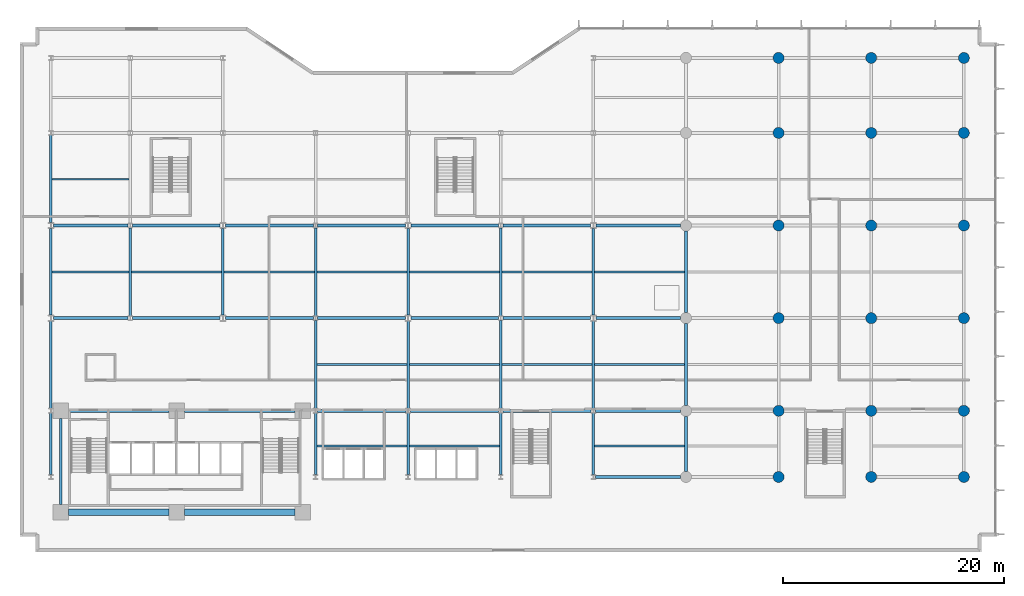
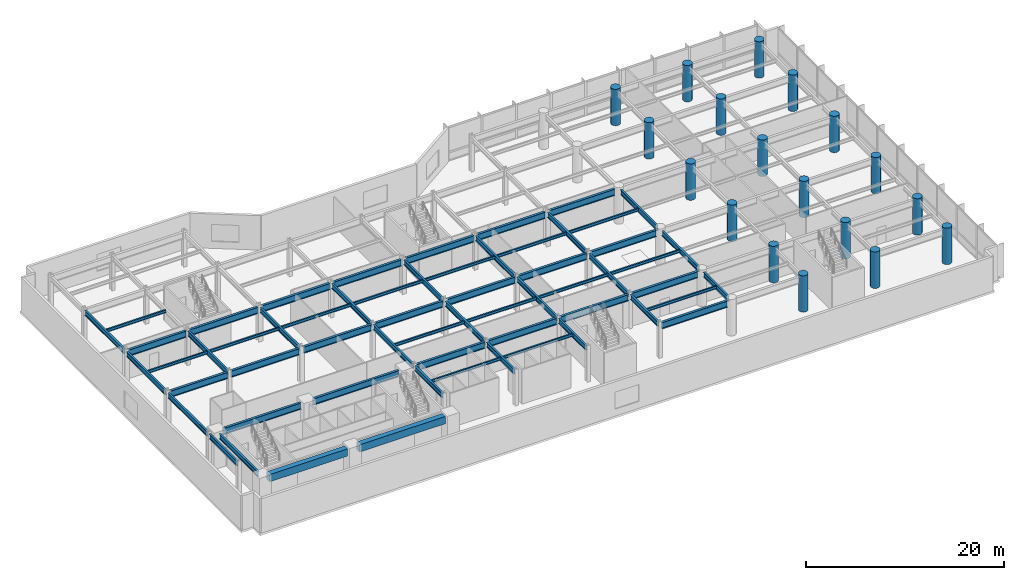
# One storey, part 3 of 26: 60 beams, 18 columns.
"""IFC4 building model written with IfcOpenShell, lengths in metres."""

from ifc_helpers import new_model, si_unit, direction, frame, origin, origin_2d, place, context, subcontext, project, spatial, rectangle, circle, i_section, extrude, material, material_profile, profile_set, type_object, element, save


model = new_model("IFC4")

# Units and contexts
model_context = context("Model", 3, precision=1e-05, world=origin(), true_north=direction((0.0, 1.0)))
body_context = subcontext(model_context, "Body", "Model", "MODEL_VIEW")
ifc_project = project(units=[si_unit("LENGTHUNIT", "METRE"), si_unit("AREAUNIT", "SQUARE_METRE"), si_unit("VOLUMEUNIT", "CUBIC_METRE"), si_unit("PLANEANGLEUNIT", "RADIAN"), si_unit("MASSUNIT", "GRAM", prefix="KILO")], contexts=[model_context])

# Site, building, storey
site_placement = place(None, origin())
site = spatial("IfcSite", under=ifc_project, at=site_placement, CompositionType="ELEMENT")
building_placement = place(site_placement, origin())
building = spatial("IfcBuilding", under=site, at=building_placement, Name="Varnakote Quay Hospital", CompositionType="ELEMENT")
storey_placement = place(building_placement, frame((0.0, 0.0, 9.0)))
storey = spatial("IfcBuildingStorey", under=building, at=storey_placement, Name="L02", CompositionType="ELEMENT", Elevation=9.0)

# Columns
ifc_material_1 = material(Name="Concrete N65 (f'c 65 MPa)", Category="concrete")
ifc_material_profile_1 = material_profile(ifc_material_1, circle(Radius=0.5, at=origin_2d()), Name="RC-COL-D1000")
ifc_profile_set_1 = profile_set([ifc_material_profile_1], Name="Concrete N65 (f'c 65 MPa)")
column_type = type_object("IfcColumnType", Name="COL-RC-D1000", PredefinedType="COLUMN", material=ifc_profile_set_1)
for number, where, z_axis, x_axis, name in (
    (1, (67.199951171875, 6.0, 0.0), (0.0, 0.0, 1.0), (1.0, 0.0, 0.0), "L02 Structural Column C-67-6"),
    (2, (75.60009765625, 6.0, 0.0), (0.0, 0.0, 1.0), (1.0, 0.0, 0.0), "L02 Structural Column C-76-6"),
    (3, (84.0, 6.0, 0.0), (0.0, 0.0, 1.0), (1.0, 0.0, 0.0), "L02 Structural Column C-84-6"),
    (4, (67.199951171875, 12.0, 0.0), (0.0, 0.0, 1.0), (1.0, 0.0, 0.0), "L02 Structural Column C-67-12"),
    (5, (75.60009765625, 12.0, 0.0), (0.0, 0.0, 1.0), (1.0, 0.0, 0.0), "L02 Structural Column C-76-12"),
    (6, (84.0, 12.0, 0.0), (0.0, 0.0, 1.0), (1.0, 0.0, 0.0), "L02 Structural Column C-84-12"),
    (7, (67.199951171875, 20.39990234375, 0.0), (0.0, 0.0, 1.0), (1.0, 0.0, 0.0), "L02 Structural Column C-67-20"),
    (8, (75.60009765625, 20.39990234375, 0.0), (0.0, 0.0, 1.0), (1.0, 0.0, 0.0), "L02 Structural Column C-76-20"),
    (9, (84.0, 20.39990234375, 0.0), (0.0, 0.0, 1.0), (1.0, 0.0, 0.0), "L02 Structural Column C-84-20"),
    (10, (67.199951171875, 28.800048828125, 0.0), (0.0, 0.0, 1.0), (1.0, 0.0, 0.0), "L02 Structural Column C-67-29"),
    (11, (75.60009765625, 28.800048828125, 0.0), (0.0, 0.0, 1.0), (1.0, 0.0, 0.0), "L02 Structural Column C-76-29"),
    (12, (84.0, 28.800048828125, 0.0), (0.0, 0.0, 1.0), (1.0, 0.0, 0.0), "L02 Structural Column C-84-29"),
    (13, (67.199951171875, 37.199951171875, 0.0), (0.0, 0.0, 1.0), (1.0, 0.0, 0.0), "L02 Structural Column C-67-37"),
    (14, (75.60009765625, 37.199951171875, 0.0), (0.0, 0.0, 1.0), (1.0, 0.0, 0.0), "L02 Structural Column C-76-37"),
    (15, (84.0, 37.199951171875, 0.0), (0.0, 0.0, 1.0), (1.0, 0.0, 0.0), "L02 Structural Column C-84-37"),
    (16, (67.199951171875, 44.0, 0.0), (0.0, 0.0, 1.0), (1.0, 0.0, 0.0), "L02 Structural Column C-67-44"),
    (17, (75.60009765625, 44.0, 0.0), (0.0, 0.0, 1.0), (1.0, 0.0, 0.0), "L02 Structural Column C-76-44"),
    (18, (84.0, 44.0, 0.0), (0.0, 0.0, 1.0), (1.0, 0.0, 0.0), "L02 Structural Column C-84-44"),
):
    element("IfcColumn", number, at=place(storey_placement, frame(where, z_axis=z_axis, x_axis=x_axis)), inside=storey, type_object=column_type, Name=name, PredefinedType="COLUMN", context=body_context, shape_type="SweptSolid", body=[
        extrude(circle(Radius=0.5, at=origin_2d()), origin(), (0.0, 0.0, 1.0), 4.5),
    ])

# Beams
ifc_material_2 = material(Name="Concrete N65 (f'c 65 MPa)", Category="concrete")
ifc_material_profile_2 = material_profile(ifc_material_2, rectangle(XDim=0.60009765625, YDim=0.89990234375, at=origin_2d()), Name="RC-BM-600x900")
ifc_profile_set_2 = profile_set([ifc_material_profile_2], Name="Concrete N65 (f'c 65 MPa)")
beam_type_1 = type_object("IfcBeamType", Name="BM-RC-600x900", PredefinedType="BEAM", material=ifc_profile_set_2)
beam_1_placement = place(storey_placement, frame((2.800048828125, 2.800048828125, 3.800048828125), z_axis=(1.0, 0.0, 0.0), x_axis=(0.0, 1.0, 0.0)))
element("IfcBeam", 19, at=beam_1_placement, inside=storey, type_object=beam_type_1, Name="L02 Core Rear Coupling Beam", PredefinedType="BEAM", context=body_context, shape_type="SweptSolid", body=[
    extrude(rectangle(XDim=0.60009765625, YDim=0.89990234375, at=origin_2d()), origin(), (0.0, 0.0, 1.0), 9.119873046875),
])
beam_2_placement = place(storey_placement, frame((13.320068359375, 2.800048828125, 3.800048828125), z_axis=(1.0, 0.0, 0.0), x_axis=(0.0, 1.0, 0.0)))
element("IfcBeam", 20, at=beam_2_placement, inside=storey, type_object=beam_type_1, Name="L02 Core Rear Coupling Beam", PredefinedType="BEAM", context=body_context, shape_type="SweptSolid", body=[
    extrude(rectangle(XDim=0.60009765625, YDim=0.89990234375, at=origin_2d()), origin(), (0.0, 0.0, 1.0), 10.030029296875),
])
ifc_material_3 = material(Name="Structural steel AS/NZS 3679.1 Grade 350 L0 (fy 340 MPa)", Category="steel")
ifc_material_profile_3 = material_profile(ifc_material_3, i_section(OverallWidth=0.22802734375, OverallDepth=0.60205078125, WebThickness=0.010498046875, FlangeThickness=0.014892578125, FilletRadius=0.013916015625, at=origin_2d()), Name="610UB101")
ifc_profile_set_3 = profile_set([ifc_material_profile_3], Name="Structural steel AS/NZS 3679.1 Grade 350 L0 (fy 340 MPa)")
beam_type_2 = type_object("IfcBeamType", Name="BM-STL-610UB101", PredefinedType="BEAM", material=ifc_profile_set_3)
beam_3_placement = place(storey_placement, frame((1.199951171875, 6.2099609375, 3.948974609375), z_axis=(0.0, 1.0, 0.0), x_axis=(-1.0, 0.0, 0.0)))
element("IfcBeam", 21, at=beam_3_placement, inside=storey, type_object=beam_type_2, Name="L02 Primary Tie Beam", PredefinedType="BEAM", context=body_context, shape_type="SweptSolid", body=[
    extrude(i_section(OverallWidth=0.22802734375, OverallDepth=0.60205078125, WebThickness=0.010498046875, FlangeThickness=0.014892578125, FilletRadius=0.013916015625, at=origin_2d()), origin(), (0.0, 0.0, 1.0), 5.580078125),
])
beam_4_placement = place(storey_placement, frame((1.199951171875, 12.2099609375, 3.948974609375), z_axis=(0.0, 1.0, 0.0), x_axis=(-1.0, 0.0, 0.0)))
element("IfcBeam", 22, at=beam_4_placement, inside=storey, type_object=beam_type_2, Name="L02 Primary Tie Beam", PredefinedType="BEAM", context=body_context, shape_type="SweptSolid", body=[
    extrude(i_section(OverallWidth=0.22802734375, OverallDepth=0.60205078125, WebThickness=0.010498046875, FlangeThickness=0.014892578125, FilletRadius=0.013916015625, at=origin_2d()), origin(), (0.0, 0.0, 1.0), 7.925048828125),
])
beam_5_placement = place(storey_placement, frame((1.199951171875, 20.6650390625, 3.948974609375), z_axis=(0.0, 1.0, 0.0), x_axis=(-1.0, 0.0, 0.0)))
element("IfcBeam", 23, at=beam_5_placement, inside=storey, type_object=beam_type_2, Name="L02 Primary Tie Beam", PredefinedType="BEAM", context=body_context, shape_type="SweptSolid", body=[
    extrude(i_section(OverallWidth=0.22802734375, OverallDepth=0.60205078125, WebThickness=0.010498046875, FlangeThickness=0.014892578125, FilletRadius=0.013916015625, at=origin_2d()), origin(), (0.0, 0.0, 1.0), 7.869873046875),
])
beam_6_placement = place(storey_placement, frame((1.199951171875, 29.06494140625, 3.948974609375), z_axis=(0.0, 1.0, 0.0), x_axis=(-1.0, 0.0, 0.0)))
element("IfcBeam", 24, at=beam_6_placement, inside=storey, type_object=beam_type_2, Name="L02 Primary Tie Beam", PredefinedType="BEAM", context=body_context, shape_type="SweptSolid", body=[
    extrude(i_section(OverallWidth=0.22802734375, OverallDepth=0.60205078125, WebThickness=0.010498046875, FlangeThickness=0.014892578125, FilletRadius=0.013916015625, at=origin_2d()), origin(), (0.0, 0.0, 1.0), 7.925048828125),
])
beam_7_placement = place(storey_placement, frame((2.10009765625, 3.5, 3.948974609375), z_axis=(0.0, 1.0, 0.0), x_axis=(-1.0, 0.0, 0.0)))
element("IfcBeam", 25, at=beam_7_placement, inside=storey, type_object=beam_type_2, Name="L02 Primary Tie Beam", PredefinedType="BEAM", context=body_context, shape_type="SweptSolid", body=[
    extrude(i_section(OverallWidth=0.22802734375, OverallDepth=0.60205078125, WebThickness=0.010498046875, FlangeThickness=0.014892578125, FilletRadius=0.013916015625, at=origin_2d()), origin(), (0.0, 0.0, 1.0), 7.800048828125),
])
beam_8_placement = place(storey_placement, frame((8.39990234375, 20.610107421875, 3.948974609375), z_axis=(0.0, 1.0, 0.0), x_axis=(-1.0, 0.0, 0.0)))
element("IfcBeam", 26, at=beam_8_placement, inside=storey, type_object=beam_type_2, Name="L02 Primary Tie Beam", PredefinedType="BEAM", context=body_context, shape_type="SweptSolid", body=[
    extrude(i_section(OverallWidth=0.22802734375, OverallDepth=0.60205078125, WebThickness=0.010498046875, FlangeThickness=0.014892578125, FilletRadius=0.013916015625, at=origin_2d()), origin(), (0.0, 0.0, 1.0), 7.97998046875),
])
beam_9_placement = place(storey_placement, frame((16.800048828125, 20.6650390625, 3.948974609375), z_axis=(0.0, 1.0, 0.0), x_axis=(-1.0, 0.0, 0.0)))
element("IfcBeam", 27, at=beam_9_placement, inside=storey, type_object=beam_type_2, Name="L02 Primary Tie Beam", PredefinedType="BEAM", context=body_context, shape_type="SweptSolid", body=[
    extrude(i_section(OverallWidth=0.22802734375, OverallDepth=0.60205078125, WebThickness=0.010498046875, FlangeThickness=0.014892578125, FilletRadius=0.013916015625, at=origin_2d()), origin(), (0.0, 0.0, 1.0), 7.869873046875),
])
beam_10_placement = place(storey_placement, frame((25.199951171875, 6.2099609375, 3.948974609375), z_axis=(0.0, 1.0, 0.0), x_axis=(-1.0, 0.0, 0.0)))
element("IfcBeam", 28, at=beam_10_placement, inside=storey, type_object=beam_type_2, Name="L02 Primary Tie Beam", PredefinedType="BEAM", context=body_context, shape_type="SweptSolid", body=[
    extrude(i_section(OverallWidth=0.22802734375, OverallDepth=0.60205078125, WebThickness=0.010498046875, FlangeThickness=0.014892578125, FilletRadius=0.013916015625, at=origin_2d()), origin(), (0.0, 0.0, 1.0), 5.580078125),
])
for number, where, z_axis, x_axis, name in (
    (29, (25.199951171875, 12.2099609375, 3.948974609375), (0.0, 1.0, 0.0), (-1.0, 0.0, 0.0), "L02 Primary Tie Beam"),
    (30, (25.199951171875, 20.610107421875, 3.948974609375), (0.0, 1.0, 0.0), (-1.0, 0.0, 0.0), "L02 Primary Tie Beam"),
):
    element("IfcBeam", number, at=place(storey_placement, frame(where, z_axis=z_axis, x_axis=x_axis)), inside=storey, type_object=beam_type_2, Name=name, PredefinedType="BEAM", context=body_context, shape_type="SweptSolid", body=[
        extrude(i_section(OverallWidth=0.22802734375, OverallDepth=0.60205078125, WebThickness=0.010498046875, FlangeThickness=0.014892578125, FilletRadius=0.013916015625, at=origin_2d()), origin(), (0.0, 0.0, 1.0), 7.97998046875),
    ])
beam_11_placement = place(storey_placement, frame((33.60009765625, 6.2099609375, 3.948974609375), z_axis=(0.0, 1.0, 0.0), x_axis=(-1.0, 0.0, 0.0)))
element("IfcBeam", 31, at=beam_11_placement, inside=storey, type_object=beam_type_2, Name="L02 Primary Tie Beam", PredefinedType="BEAM", context=body_context, shape_type="SweptSolid", body=[
    extrude(i_section(OverallWidth=0.22802734375, OverallDepth=0.60205078125, WebThickness=0.010498046875, FlangeThickness=0.014892578125, FilletRadius=0.013916015625, at=origin_2d()), origin(), (0.0, 0.0, 1.0), 5.580078125),
])
beam_12_placement = place(storey_placement, frame((33.60009765625, 12.2099609375, 3.948974609375), z_axis=(0.0, 1.0, 0.0), x_axis=(-1.0, 0.0, 0.0)))
element("IfcBeam", 32, at=beam_12_placement, inside=storey, type_object=beam_type_2, Name="L02 Primary Tie Beam", PredefinedType="BEAM", context=body_context, shape_type="SweptSolid", body=[
    extrude(i_section(OverallWidth=0.22802734375, OverallDepth=0.60205078125, WebThickness=0.010498046875, FlangeThickness=0.014892578125, FilletRadius=0.013916015625, at=origin_2d()), origin(), (0.0, 0.0, 1.0), 7.925048828125),
])
beam_13_placement = place(storey_placement, frame((33.60009765625, 20.6650390625, 3.948974609375), z_axis=(0.0, 1.0, 0.0), x_axis=(-1.0, 0.0, 0.0)))
element("IfcBeam", 33, at=beam_13_placement, inside=storey, type_object=beam_type_2, Name="L02 Primary Tie Beam", PredefinedType="BEAM", context=body_context, shape_type="SweptSolid", body=[
    extrude(i_section(OverallWidth=0.22802734375, OverallDepth=0.60205078125, WebThickness=0.010498046875, FlangeThickness=0.014892578125, FilletRadius=0.013916015625, at=origin_2d()), origin(), (0.0, 0.0, 1.0), 7.869873046875),
])
beam_14_placement = place(storey_placement, frame((42.0, 6.2099609375, 3.948974609375), z_axis=(0.0, 1.0, 0.0), x_axis=(-1.0, 0.0, 0.0)))
element("IfcBeam", 34, at=beam_14_placement, inside=storey, type_object=beam_type_2, Name="L02 Primary Tie Beam", PredefinedType="BEAM", context=body_context, shape_type="SweptSolid", body=[
    extrude(i_section(OverallWidth=0.22802734375, OverallDepth=0.60205078125, WebThickness=0.010498046875, FlangeThickness=0.014892578125, FilletRadius=0.013916015625, at=origin_2d()), origin(), (0.0, 0.0, 1.0), 5.580078125),
])
for number, where, z_axis, x_axis, name in (
    (35, (42.0, 12.2099609375, 3.948974609375), (0.0, 1.0, 0.0), (-1.0, 0.0, 0.0), "L02 Primary Tie Beam"),
    (36, (42.0, 20.610107421875, 3.948974609375), (0.0, 1.0, 0.0), (-1.0, 0.0, 0.0), "L02 Primary Tie Beam"),
):
    element("IfcBeam", number, at=place(storey_placement, frame(where, z_axis=z_axis, x_axis=x_axis)), inside=storey, type_object=beam_type_2, Name=name, PredefinedType="BEAM", context=body_context, shape_type="SweptSolid", body=[
        extrude(i_section(OverallWidth=0.22802734375, OverallDepth=0.60205078125, WebThickness=0.010498046875, FlangeThickness=0.014892578125, FilletRadius=0.013916015625, at=origin_2d()), origin(), (0.0, 0.0, 1.0), 7.97998046875),
    ])
beam_15_placement = place(storey_placement, frame((50.39990234375, 6.2099609375, 3.948974609375), z_axis=(0.0, 1.0, 0.0), x_axis=(-1.0, 0.0, 0.0)))
element("IfcBeam", 37, at=beam_15_placement, inside=storey, type_object=beam_type_2, Name="L02 Primary Tie Beam", PredefinedType="BEAM", context=body_context, shape_type="SweptSolid", body=[
    extrude(i_section(OverallWidth=0.22802734375, OverallDepth=0.60205078125, WebThickness=0.010498046875, FlangeThickness=0.014892578125, FilletRadius=0.013916015625, at=origin_2d()), origin(), (0.0, 0.0, 1.0), 5.580078125),
])
beam_16_placement = place(storey_placement, frame((50.39990234375, 12.2099609375, 3.948974609375), z_axis=(0.0, 1.0, 0.0), x_axis=(-1.0, 0.0, 0.0)))
element("IfcBeam", 38, at=beam_16_placement, inside=storey, type_object=beam_type_2, Name="L02 Primary Tie Beam", PredefinedType="BEAM", context=body_context, shape_type="SweptSolid", body=[
    extrude(i_section(OverallWidth=0.22802734375, OverallDepth=0.60205078125, WebThickness=0.010498046875, FlangeThickness=0.014892578125, FilletRadius=0.013916015625, at=origin_2d()), origin(), (0.0, 0.0, 1.0), 7.925048828125),
])
beam_17_placement = place(storey_placement, frame((50.39990234375, 20.6650390625, 3.948974609375), z_axis=(0.0, 1.0, 0.0), x_axis=(-1.0, 0.0, 0.0)))
element("IfcBeam", 39, at=beam_17_placement, inside=storey, type_object=beam_type_2, Name="L02 Primary Tie Beam", PredefinedType="BEAM", context=body_context, shape_type="SweptSolid", body=[
    extrude(i_section(OverallWidth=0.22802734375, OverallDepth=0.60205078125, WebThickness=0.010498046875, FlangeThickness=0.014892578125, FilletRadius=0.013916015625, at=origin_2d()), origin(), (0.0, 0.0, 1.0), 7.869873046875),
])
beam_18_placement = place(storey_placement, frame((58.800048828125, 6.5, 3.948974609375), z_axis=(0.0, 1.0, 0.0), x_axis=(-1.0, 0.0, 0.0)))
element("IfcBeam", 40, at=beam_18_placement, inside=storey, type_object=beam_type_2, Name="L02 Primary Tie Beam", PredefinedType="BEAM", context=body_context, shape_type="SweptSolid", body=[
    extrude(i_section(OverallWidth=0.22802734375, OverallDepth=0.60205078125, WebThickness=0.010498046875, FlangeThickness=0.014892578125, FilletRadius=0.013916015625, at=origin_2d()), origin(), (0.0, 0.0, 1.0), 5.0),
])
beam_19_placement = place(storey_placement, frame((58.800048828125, 12.5, 3.948974609375), z_axis=(0.0, 1.0, 0.0), x_axis=(-1.0, 0.0, 0.0)))
element("IfcBeam", 41, at=beam_19_placement, inside=storey, type_object=beam_type_2, Name="L02 Primary Tie Beam", PredefinedType="BEAM", context=body_context, shape_type="SweptSolid", body=[
    extrude(i_section(OverallWidth=0.22802734375, OverallDepth=0.60205078125, WebThickness=0.010498046875, FlangeThickness=0.014892578125, FilletRadius=0.013916015625, at=origin_2d()), origin(), (0.0, 0.0, 1.0), 7.39990234375),
])
beam_20_placement = place(storey_placement, frame((58.800048828125, 20.89990234375, 3.948974609375), z_axis=(0.0, 1.0, 0.0), x_axis=(-1.0, 0.0, 0.0)))
element("IfcBeam", 42, at=beam_20_placement, inside=storey, type_object=beam_type_2, Name="L02 Primary Tie Beam", PredefinedType="BEAM", context=body_context, shape_type="SweptSolid", body=[
    extrude(i_section(OverallWidth=0.22802734375, OverallDepth=0.60205078125, WebThickness=0.010498046875, FlangeThickness=0.014892578125, FilletRadius=0.013916015625, at=origin_2d()), origin(), (0.0, 0.0, 1.0), 7.400146484375),
])
ifc_material_4 = material(Name="Structural steel AS/NZS 3678 Grade 350 (fy 340 MPa)", Category="steel")
ifc_material_profile_4 = material_profile(ifc_material_4, i_section(OverallWidth=0.27490234375, OverallDepth=0.800048828125, WebThickness=0.010009765625, FlangeThickness=0.02001953125, at=origin_2d()), Name="800WB146")
ifc_profile_set_4 = profile_set([ifc_material_profile_4], Name="Structural steel AS/NZS 3678 Grade 350 (fy 340 MPa)")
beam_type_3 = type_object("IfcBeamType", Name="BM-STL-800WB146", PredefinedType="BEAM", material=ifc_profile_set_4)
beam_21_placement = place(storey_placement, frame((50.60009765625, 6.0, 3.85009765625), z_axis=(1.0, 0.0, 0.0), x_axis=(0.0, 1.0, 0.0)))
element("IfcBeam", 43, at=beam_21_placement, inside=storey, type_object=beam_type_3, Name="L02 Primary Floor Beam", PredefinedType="BEAM", context=body_context, shape_type="SweptSolid", body=[
    extrude(i_section(OverallWidth=0.27490234375, OverallDepth=0.800048828125, WebThickness=0.010009765625, FlangeThickness=0.02001953125, at=origin_2d()), origin(), (0.0, 0.0, 1.0), 7.699951171875),
])
beam_22_placement = place(storey_placement, frame((2.800048828125, 12.0, 3.85009765625), z_axis=(1.0, 0.0, 0.0), x_axis=(0.0, 1.0, 0.0)))
element("IfcBeam", 44, at=beam_22_placement, inside=storey, type_object=beam_type_3, Name="L02 Primary Floor Beam", PredefinedType="BEAM", context=body_context, shape_type="SweptSolid", body=[
    extrude(i_section(OverallWidth=0.27490234375, OverallDepth=0.800048828125, WebThickness=0.010009765625, FlangeThickness=0.02001953125, at=origin_2d()), origin(), (0.0, 0.0, 1.0), 9.119873046875),
])
beam_23_placement = place(storey_placement, frame((13.320068359375, 12.0, 3.85009765625), z_axis=(1.0, 0.0, 0.0), x_axis=(0.0, 1.0, 0.0)))
element("IfcBeam", 45, at=beam_23_placement, inside=storey, type_object=beam_type_3, Name="L02 Primary Floor Beam", PredefinedType="BEAM", context=body_context, shape_type="SweptSolid", body=[
    extrude(i_section(OverallWidth=0.27490234375, OverallDepth=0.800048828125, WebThickness=0.010009765625, FlangeThickness=0.02001953125, at=origin_2d()), origin(), (0.0, 0.0, 1.0), 10.030029296875),
])
for number, where, z_axis, x_axis, name in (
    (46, (25.39990234375, 12.0, 3.85009765625), (1.0, 0.0, 0.0), (0.0, 1.0, 0.0), "L02 Primary Floor Beam"),
    (47, (33.800048828125, 12.0, 3.85009765625), (1.0, 0.0, 0.0), (0.0, 1.0, 0.0), "L02 Primary Floor Beam"),
    (48, (42.199951171875, 12.0, 3.85009765625), (1.0, 0.0, 0.0), (0.0, 1.0, 0.0), "L02 Primary Floor Beam"),
):
    element("IfcBeam", number, at=place(storey_placement, frame(where, z_axis=z_axis, x_axis=x_axis)), inside=storey, type_object=beam_type_3, Name=name, PredefinedType="BEAM", context=body_context, shape_type="SweptSolid", body=[
        extrude(i_section(OverallWidth=0.27490234375, OverallDepth=0.800048828125, WebThickness=0.010009765625, FlangeThickness=0.02001953125, at=origin_2d()), origin(), (0.0, 0.0, 1.0), 8.0),
    ])
beam_24_placement = place(storey_placement, frame((50.60009765625, 12.0, 3.85009765625), z_axis=(1.0, 0.0, 0.0), x_axis=(0.0, 1.0, 0.0)))
element("IfcBeam", 49, at=beam_24_placement, inside=storey, type_object=beam_type_3, Name="L02 Primary Floor Beam", PredefinedType="BEAM", context=body_context, shape_type="SweptSolid", body=[
    extrude(i_section(OverallWidth=0.27490234375, OverallDepth=0.800048828125, WebThickness=0.010009765625, FlangeThickness=0.02001953125, at=origin_2d()), origin(), (0.0, 0.0, 1.0), 7.699951171875),
])
beam_25_placement = place(storey_placement, frame((1.449951171875, 20.39990234375, 3.85009765625), z_axis=(1.0, 0.0, 0.0), x_axis=(0.0, 1.0, 0.0)))
element("IfcBeam", 50, at=beam_25_placement, inside=storey, type_object=beam_type_3, Name="L02 Primary Floor Beam", PredefinedType="BEAM", context=body_context, shape_type="SweptSolid", body=[
    extrude(i_section(OverallWidth=0.27490234375, OverallDepth=0.800048828125, WebThickness=0.010009765625, FlangeThickness=0.02001953125, at=origin_2d()), origin(), (0.0, 0.0, 1.0), 6.75),
])
for number, where, z_axis, x_axis, name in (
    (51, (8.60009765625, 20.39990234375, 3.85009765625), (1.0, 0.0, 0.0), (0.0, 1.0, 0.0), "L02 Primary Floor Beam"),
    (52, (17.050048828125, 20.39990234375, 3.85009765625), (1.0, 0.0, 0.0), (0.0, 1.0, 0.0), "L02 Primary Floor Beam"),
):
    element("IfcBeam", number, at=place(storey_placement, frame(where, z_axis=z_axis, x_axis=x_axis)), inside=storey, type_object=beam_type_3, Name=name, PredefinedType="BEAM", context=body_context, shape_type="SweptSolid", body=[
        extrude(i_section(OverallWidth=0.27490234375, OverallDepth=0.800048828125, WebThickness=0.010009765625, FlangeThickness=0.02001953125, at=origin_2d()), origin(), (0.0, 0.0, 1.0), 7.949951171875),
    ])
beam_26_placement = place(storey_placement, frame((25.39990234375, 20.39990234375, 3.85009765625), z_axis=(1.0, 0.0, 0.0), x_axis=(0.0, 1.0, 0.0)))
element("IfcBeam", 53, at=beam_26_placement, inside=storey, type_object=beam_type_3, Name="L02 Primary Floor Beam", PredefinedType="BEAM", context=body_context, shape_type="SweptSolid", body=[
    extrude(i_section(OverallWidth=0.27490234375, OverallDepth=0.800048828125, WebThickness=0.010009765625, FlangeThickness=0.02001953125, at=origin_2d()), origin(), (0.0, 0.0, 1.0), 7.9501953125),
])
for number, where, z_axis, x_axis, name in (
    (54, (33.85009765625, 20.39990234375, 3.85009765625), (1.0, 0.0, 0.0), (0.0, 1.0, 0.0), "L02 Primary Floor Beam"),
    (55, (42.199951171875, 20.39990234375, 3.85009765625), (1.0, 0.0, 0.0), (0.0, 1.0, 0.0), "L02 Primary Floor Beam"),
):
    element("IfcBeam", number, at=place(storey_placement, frame(where, z_axis=z_axis, x_axis=x_axis)), inside=storey, type_object=beam_type_3, Name=name, PredefinedType="BEAM", context=body_context, shape_type="SweptSolid", body=[
        extrude(i_section(OverallWidth=0.27490234375, OverallDepth=0.800048828125, WebThickness=0.010009765625, FlangeThickness=0.02001953125, at=origin_2d()), origin(), (0.0, 0.0, 1.0), 7.949951171875),
    ])
beam_27_placement = place(storey_placement, frame((50.64990234375, 20.39990234375, 3.85009765625), z_axis=(1.0, 0.0, 0.0), x_axis=(0.0, 1.0, 0.0)))
element("IfcBeam", 56, at=beam_27_placement, inside=storey, type_object=beam_type_3, Name="L02 Primary Floor Beam", PredefinedType="BEAM", context=body_context, shape_type="SweptSolid", body=[
    extrude(i_section(OverallWidth=0.27490234375, OverallDepth=0.800048828125, WebThickness=0.010009765625, FlangeThickness=0.02001953125, at=origin_2d()), origin(), (0.0, 0.0, 1.0), 7.650146484375),
])
beam_28_placement = place(storey_placement, frame((1.449951171875, 28.800048828125, 3.85009765625), z_axis=(1.0, 0.0, 0.0), x_axis=(0.0, 1.0, 0.0)))
element("IfcBeam", 57, at=beam_28_placement, inside=storey, type_object=beam_type_3, Name="L02 Primary Floor Beam", PredefinedType="BEAM", context=body_context, shape_type="SweptSolid", body=[
    extrude(i_section(OverallWidth=0.27490234375, OverallDepth=0.800048828125, WebThickness=0.010009765625, FlangeThickness=0.02001953125, at=origin_2d()), origin(), (0.0, 0.0, 1.0), 6.75),
])
for number, where, z_axis, x_axis, name in (
    (58, (8.60009765625, 28.800048828125, 3.85009765625), (1.0, 0.0, 0.0), (0.0, 1.0, 0.0), "L02 Primary Floor Beam"),
    (59, (17.050048828125, 28.800048828125, 3.85009765625), (1.0, 0.0, 0.0), (0.0, 1.0, 0.0), "L02 Primary Floor Beam"),
):
    element("IfcBeam", number, at=place(storey_placement, frame(where, z_axis=z_axis, x_axis=x_axis)), inside=storey, type_object=beam_type_3, Name=name, PredefinedType="BEAM", context=body_context, shape_type="SweptSolid", body=[
        extrude(i_section(OverallWidth=0.27490234375, OverallDepth=0.800048828125, WebThickness=0.010009765625, FlangeThickness=0.02001953125, at=origin_2d()), origin(), (0.0, 0.0, 1.0), 7.949951171875),
    ])
beam_29_placement = place(storey_placement, frame((25.39990234375, 28.800048828125, 3.85009765625), z_axis=(1.0, 0.0, 0.0), x_axis=(0.0, 1.0, 0.0)))
element("IfcBeam", 60, at=beam_29_placement, inside=storey, type_object=beam_type_3, Name="L02 Primary Floor Beam", PredefinedType="BEAM", context=body_context, shape_type="SweptSolid", body=[
    extrude(i_section(OverallWidth=0.27490234375, OverallDepth=0.800048828125, WebThickness=0.010009765625, FlangeThickness=0.02001953125, at=origin_2d()), origin(), (0.0, 0.0, 1.0), 7.9501953125),
])
for number, where, z_axis, x_axis, name in (
    (61, (33.85009765625, 28.800048828125, 3.85009765625), (1.0, 0.0, 0.0), (0.0, 1.0, 0.0), "L02 Primary Floor Beam"),
    (62, (42.199951171875, 28.800048828125, 3.85009765625), (1.0, 0.0, 0.0), (0.0, 1.0, 0.0), "L02 Primary Floor Beam"),
):
    element("IfcBeam", number, at=place(storey_placement, frame(where, z_axis=z_axis, x_axis=x_axis)), inside=storey, type_object=beam_type_3, Name=name, PredefinedType="BEAM", context=body_context, shape_type="SweptSolid", body=[
        extrude(i_section(OverallWidth=0.27490234375, OverallDepth=0.800048828125, WebThickness=0.010009765625, FlangeThickness=0.02001953125, at=origin_2d()), origin(), (0.0, 0.0, 1.0), 7.949951171875),
    ])
beam_30_placement = place(storey_placement, frame((50.64990234375, 28.800048828125, 3.85009765625), z_axis=(1.0, 0.0, 0.0), x_axis=(0.0, 1.0, 0.0)))
element("IfcBeam", 63, at=beam_30_placement, inside=storey, type_object=beam_type_3, Name="L02 Primary Floor Beam", PredefinedType="BEAM", context=body_context, shape_type="SweptSolid", body=[
    extrude(i_section(OverallWidth=0.27490234375, OverallDepth=0.800048828125, WebThickness=0.010009765625, FlangeThickness=0.02001953125, at=origin_2d()), origin(), (0.0, 0.0, 1.0), 7.650146484375),
])
ifc_material_5 = material(Name="Structural steel AS/NZS 3679.1 Grade 350 L0 (fy 340 MPa)", Category="steel")
ifc_material_profile_5 = material_profile(ifc_material_5, i_section(OverallWidth=0.1708984375, OverallDepth=0.35595703125, WebThickness=0.00732421875, FlangeThickness=0.011474609375, FilletRadius=0.011474609375, at=origin_2d()), Name="360UB50.7")
ifc_profile_set_5 = profile_set([ifc_material_profile_5], Name="Structural steel AS/NZS 3679.1 Grade 350 L0 (fy 340 MPa)")
beam_type_4 = type_object("IfcBeamType", Name="JST-STL-360UB50-7", PredefinedType="JOIST", material=ifc_profile_set_5)
beam_31_placement = place(storey_placement, frame((25.31396484375, 8.800048828125, 4.072021484375), z_axis=(1.0, 0.0, 0.0), x_axis=(0.0, 1.0, 0.0)))
element("IfcBeam", 64, at=beam_31_placement, inside=storey, type_object=beam_type_4, Name="L02 Composite Floor Joist", PredefinedType="JOIST", context=body_context, shape_type="SweptSolid", body=[
    extrude(i_section(OverallWidth=0.1708984375, OverallDepth=0.35595703125, WebThickness=0.00732421875, FlangeThickness=0.011474609375, FilletRadius=0.011474609375, at=origin_2d()), origin(), (0.0, 0.0, 1.0), 8.172119140625),
])
beam_32_placement = place(storey_placement, frame((33.714111328125, 8.800048828125, 4.072021484375), z_axis=(1.0, 0.0, 0.0), x_axis=(0.0, 1.0, 0.0)))
element("IfcBeam", 65, at=beam_32_placement, inside=storey, type_object=beam_type_4, Name="L02 Composite Floor Joist", PredefinedType="JOIST", context=body_context, shape_type="SweptSolid", body=[
    extrude(i_section(OverallWidth=0.1708984375, OverallDepth=0.35595703125, WebThickness=0.00732421875, FlangeThickness=0.011474609375, FilletRadius=0.011474609375, at=origin_2d()), origin(), (0.0, 0.0, 1.0), 8.171875),
])
for number, where, z_axis, x_axis, name in (
    (66, (50.513916015625, 8.800048828125, 4.072021484375), (1.0, 0.0, 0.0), (0.0, 1.0, 0.0), "L02 Composite Floor Joist"),
    (67, (25.31396484375, 16.199951171875, 4.072021484375), (1.0, 0.0, 0.0), (0.0, 1.0, 0.0), "L02 Composite Floor Joist"),
):
    element("IfcBeam", number, at=place(storey_placement, frame(where, z_axis=z_axis, x_axis=x_axis)), inside=storey, type_object=beam_type_4, Name=name, PredefinedType="JOIST", context=body_context, shape_type="SweptSolid", body=[
        extrude(i_section(OverallWidth=0.1708984375, OverallDepth=0.35595703125, WebThickness=0.00732421875, FlangeThickness=0.011474609375, FilletRadius=0.011474609375, at=origin_2d()), origin(), (0.0, 0.0, 1.0), 8.172119140625),
    ])
for number, where, z_axis, x_axis, name in (
    (68, (33.714111328125, 16.199951171875, 4.072021484375), (1.0, 0.0, 0.0), (0.0, 1.0, 0.0), "L02 Composite Floor Joist"),
    (69, (42.114013671875, 16.199951171875, 4.072021484375), (1.0, 0.0, 0.0), (0.0, 1.0, 0.0), "L02 Composite Floor Joist"),
):
    element("IfcBeam", number, at=place(storey_placement, frame(where, z_axis=z_axis, x_axis=x_axis)), inside=storey, type_object=beam_type_4, Name=name, PredefinedType="JOIST", context=body_context, shape_type="SweptSolid", body=[
        extrude(i_section(OverallWidth=0.1708984375, OverallDepth=0.35595703125, WebThickness=0.00732421875, FlangeThickness=0.011474609375, FilletRadius=0.011474609375, at=origin_2d()), origin(), (0.0, 0.0, 1.0), 8.171875),
    ])
beam_33_placement = place(storey_placement, frame((50.513916015625, 16.199951171875, 4.072021484375), z_axis=(1.0, 0.0, 0.0), x_axis=(0.0, 1.0, 0.0)))
element("IfcBeam", 70, at=beam_33_placement, inside=storey, type_object=beam_type_4, Name="L02 Composite Floor Joist", PredefinedType="JOIST", context=body_context, shape_type="SweptSolid", body=[
    extrude(i_section(OverallWidth=0.1708984375, OverallDepth=0.35595703125, WebThickness=0.00732421875, FlangeThickness=0.011474609375, FilletRadius=0.011474609375, at=origin_2d()), origin(), (0.0, 0.0, 1.0), 8.172119140625),
])
beam_34_placement = place(storey_placement, frame((1.31396484375, 24.60009765625, 4.072021484375), z_axis=(1.0, 0.0, 0.0), x_axis=(0.0, 1.0, 0.0)))
element("IfcBeam", 71, at=beam_34_placement, inside=storey, type_object=beam_type_4, Name="L02 Composite Floor Joist", PredefinedType="JOIST", context=body_context, shape_type="SweptSolid", body=[
    extrude(i_section(OverallWidth=0.1708984375, OverallDepth=0.35595703125, WebThickness=0.00732421875, FlangeThickness=0.011474609375, FilletRadius=0.011474609375, at=origin_2d()), origin(), (0.0, 0.0, 1.0), 6.971923828125),
])
beam_35_placement = place(storey_placement, frame((8.513916015625, 24.60009765625, 4.072021484375), z_axis=(1.0, 0.0, 0.0), x_axis=(0.0, 1.0, 0.0)))
element("IfcBeam", 72, at=beam_35_placement, inside=storey, type_object=beam_type_4, Name="L02 Composite Floor Joist", PredefinedType="JOIST", context=body_context, shape_type="SweptSolid", body=[
    extrude(i_section(OverallWidth=0.1708984375, OverallDepth=0.35595703125, WebThickness=0.00732421875, FlangeThickness=0.011474609375, FilletRadius=0.011474609375, at=origin_2d()), origin(), (0.0, 0.0, 1.0), 8.172119140625),
])
beam_36_placement = place(storey_placement, frame((16.9140625, 24.60009765625, 4.072021484375), z_axis=(1.0, 0.0, 0.0), x_axis=(0.0, 1.0, 0.0)))
element("IfcBeam", 73, at=beam_36_placement, inside=storey, type_object=beam_type_4, Name="L02 Composite Floor Joist", PredefinedType="JOIST", context=body_context, shape_type="SweptSolid", body=[
    extrude(i_section(OverallWidth=0.1708984375, OverallDepth=0.35595703125, WebThickness=0.00732421875, FlangeThickness=0.011474609375, FilletRadius=0.011474609375, at=origin_2d()), origin(), (0.0, 0.0, 1.0), 8.171875),
])
beam_37_placement = place(storey_placement, frame((25.31396484375, 24.60009765625, 4.072021484375), z_axis=(1.0, 0.0, 0.0), x_axis=(0.0, 1.0, 0.0)))
element("IfcBeam", 74, at=beam_37_placement, inside=storey, type_object=beam_type_4, Name="L02 Composite Floor Joist", PredefinedType="JOIST", context=body_context, shape_type="SweptSolid", body=[
    extrude(i_section(OverallWidth=0.1708984375, OverallDepth=0.35595703125, WebThickness=0.00732421875, FlangeThickness=0.011474609375, FilletRadius=0.011474609375, at=origin_2d()), origin(), (0.0, 0.0, 1.0), 8.172119140625),
])
for number, where, z_axis, x_axis, name in (
    (75, (33.714111328125, 24.60009765625, 4.072021484375), (1.0, 0.0, 0.0), (0.0, 1.0, 0.0), "L02 Composite Floor Joist"),
    (76, (42.114013671875, 24.60009765625, 4.072021484375), (1.0, 0.0, 0.0), (0.0, 1.0, 0.0), "L02 Composite Floor Joist"),
):
    element("IfcBeam", number, at=place(storey_placement, frame(where, z_axis=z_axis, x_axis=x_axis)), inside=storey, type_object=beam_type_4, Name=name, PredefinedType="JOIST", context=body_context, shape_type="SweptSolid", body=[
        extrude(i_section(OverallWidth=0.1708984375, OverallDepth=0.35595703125, WebThickness=0.00732421875, FlangeThickness=0.011474609375, FilletRadius=0.011474609375, at=origin_2d()), origin(), (0.0, 0.0, 1.0), 8.171875),
    ])
beam_38_placement = place(storey_placement, frame((50.513916015625, 24.60009765625, 4.072021484375), z_axis=(1.0, 0.0, 0.0), x_axis=(0.0, 1.0, 0.0)))
element("IfcBeam", 77, at=beam_38_placement, inside=storey, type_object=beam_type_4, Name="L02 Composite Floor Joist", PredefinedType="JOIST", context=body_context, shape_type="SweptSolid", body=[
    extrude(i_section(OverallWidth=0.1708984375, OverallDepth=0.35595703125, WebThickness=0.00732421875, FlangeThickness=0.011474609375, FilletRadius=0.011474609375, at=origin_2d()), origin(), (0.0, 0.0, 1.0), 8.172119140625),
])
beam_39_placement = place(storey_placement, frame((1.31396484375, 33.0, 4.072021484375), z_axis=(1.0, 0.0, 0.0), x_axis=(0.0, 1.0, 0.0)))
element("IfcBeam", 78, at=beam_39_placement, inside=storey, type_object=beam_type_4, Name="L02 Composite Floor Joist", PredefinedType="JOIST", context=body_context, shape_type="SweptSolid", body=[
    extrude(i_section(OverallWidth=0.1708984375, OverallDepth=0.35595703125, WebThickness=0.00732421875, FlangeThickness=0.011474609375, FilletRadius=0.011474609375, at=origin_2d()), origin(), (0.0, 0.0, 1.0), 6.971923828125),
])

save(model, "model.ifc")
